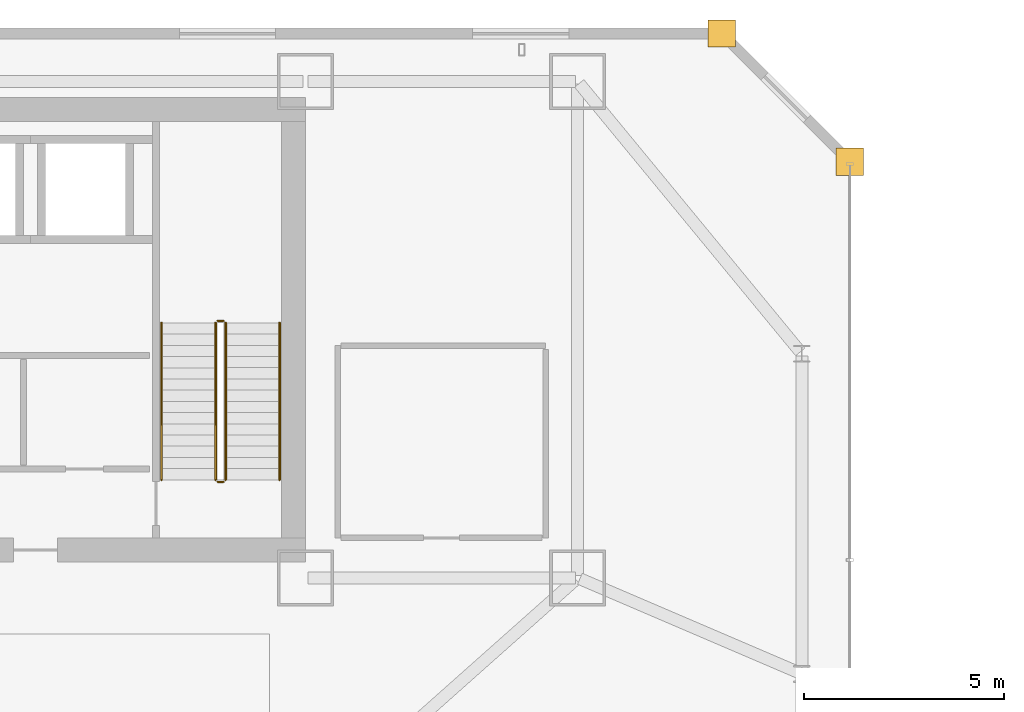
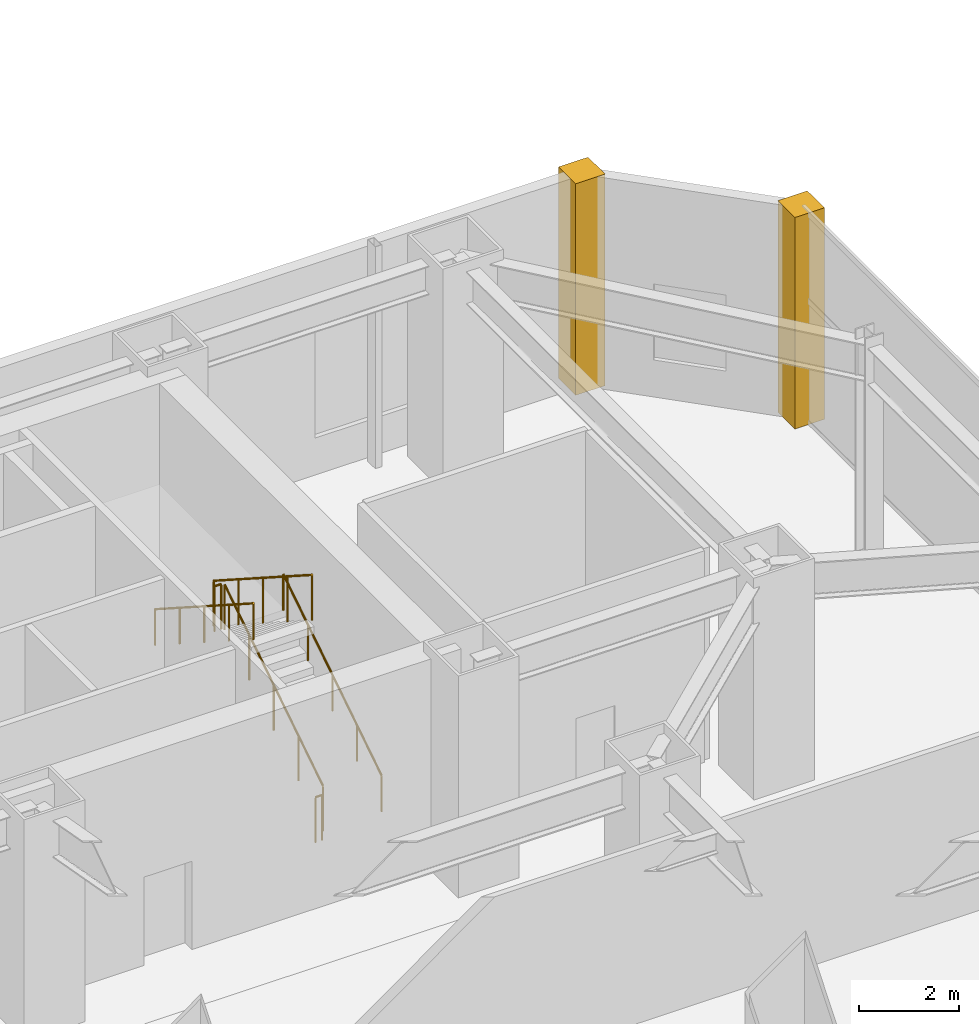
# One storey, part 52 of 53: 6 railings, 2 coverings.
"""IFC4 building model written with IfcOpenShell, lengths in metres."""

from ifc_helpers import new_model, si_unit, direction, frame, origin, origin_2d, place, context, subcontext, project, spatial, polyline, circle, outline, extrude, material, layer, layer_set, type_object, element, save


model = new_model("IFC4")

# Units and contexts
model_context = context("Model", 3, precision=1e-05, world=origin(), true_north=direction((0.0, 1.0)))
body_context = subcontext(model_context, "Body", "Model", "MODEL_VIEW")
ifc_project = project(units=[si_unit("LENGTHUNIT", "METRE"), si_unit("AREAUNIT", "SQUARE_METRE"), si_unit("VOLUMEUNIT", "CUBIC_METRE"), si_unit("PLANEANGLEUNIT", "RADIAN"), si_unit("MASSUNIT", "GRAM", prefix="KILO")], contexts=[model_context])

# Site, building, storey
site_placement = place(None, origin())
site = spatial("IfcSite", under=ifc_project, at=site_placement, CompositionType="ELEMENT")
building_placement = place(site_placement, origin())
building = spatial("IfcBuilding", under=site, at=building_placement, Name="Saevonmaru Cultural Tower", CompositionType="ELEMENT")
storey_placement = place(building_placement, frame((0.0, 0.0, 22.199951171875)))
storey = spatial("IfcBuildingStorey", under=building, at=storey_placement, Name="L04", CompositionType="ELEMENT", Elevation=22.199951171875)

# Coverings
ifc_material_1 = material(Name="Satin Bronze Anodised Aluminium", Category="aluminium")
ifc_layer = layer(ifc_material_1, 0.679931640625, Name="Satin Bronze Anodised Aluminium")
ifc_layer_set = layer_set([ifc_layer], Name="Satin Bronze Anodised Aluminium")
covering_type = type_object("IfcCoveringType", Name="CV-CORNER-CLAD", PredefinedType="CLADDING", material=ifc_layer_set)
covering_1_placement = place(storey_placement, origin())
element("IfcCovering", 1, at=covering_1_placement, inside=storey, type_object=covering_type, Name="L04 Podium Bronze Corner Cladding Pier 5", PredefinedType="CLADDING", context=body_context, shape_type="SweptSolid", body=[
    extrude(outline(polyline([(59.659912109375, 52.4599609375), (60.340087890625, 52.4599609375), (60.340087890625, 53.139892578125), (59.659912109375, 53.139892578125), (59.659912109375, 52.4599609375)])), origin(), (0.0, 0.0, 1.0), 5.150146484375),
])
covering_2_placement = place(storey_placement, origin())
element("IfcCovering", 2, at=covering_2_placement, inside=storey, type_object=covering_type, Name="L04 Podium Bronze Corner Cladding Pier 6", PredefinedType="CLADDING", context=body_context, shape_type="SweptSolid", body=[
    extrude(outline(polyline([(56.4599609375, 55.659912109375), (57.139892578125, 55.659912109375), (57.139892578125, 56.340087890625), (56.4599609375, 56.340087890625), (56.4599609375, 55.659912109375)])), origin(), (0.0, 0.0, 1.0), 5.150146484375),
])

# Railings
ifc_material_2 = material(Name="Architectural Painted Steel", Category="steel")
railing_type_1 = type_object("IfcRailingType", Name="RL-STAIR-GUARD", PredefinedType="GUARDRAIL", material=ifc_material_2)
railing_1_placement = place(storey_placement, frame((44.39990234375, 44.85009765625, 0.179931640625)))
element("IfcRailing", 3, at=railing_1_placement, inside=storey, type_object=railing_type_1, Name="L04 ST-2 stair guard 1", PredefinedType="GUARDRAIL", context=body_context, shape_type="SweptSolid", body=[
    extrude(circle(Radius=0.02392578125, at=origin_2d()), frame((0.0, 0.0, 1.09619140625), z_axis=(0.0, 0.841171666519, 0.540768182723), x_axis=(-1.0, 0.0, 0.0)), (0.0, 0.0, 1.0), 4.66015625),
    extrude(circle(Radius=0.02099609375, at=origin_2d()), origin(), (0.0, 0.0, 1.0), 1.072021484375),
    extrude(circle(Radius=0.02099609375, at=origin_2d()), frame((0.0, 0.97998046875, 0.6298828125)), (0.0, 0.0, 1.0), 1.072021484375),
    extrude(circle(Radius=0.02099609375, at=origin_2d()), frame((0.0, 1.9599609375, 1.260009765625)), (0.0, 0.0, 1.0), 1.072021484375),
    extrude(circle(Radius=0.02099609375, at=origin_2d()), frame((0.0, 2.93994140625, 1.89013671875)), (0.0, 0.0, 1.0), 1.072021484375),
    extrude(circle(Radius=0.02099609375, at=origin_2d()), frame((0.0, 3.919921875, 2.52001953125)), (0.0, 0.0, 1.0), 1.072021484375),
])
railing_2_placement = place(storey_placement, frame((44.35009765625, 48.820068359375, 2.699951171875)))
element("IfcRailing", 4, at=railing_2_placement, inside=storey, type_object=railing_type_1, Name="L04 ST-2 stair guard 2", PredefinedType="GUARDRAIL", context=body_context, shape_type="SweptSolid", body=[
    extrude(circle(Radius=0.02392578125, at=origin_2d()), frame((0.0, 0.0, 1.09619140625), z_axis=(-1.0, 0.0, 0.0), x_axis=(0.0, -1.0, 0.0)), (0.0, 0.0, 1.0), 0.150146484375),
    extrude(circle(Radius=0.02099609375, at=origin_2d()), origin(), (0.0, 0.0, 1.0), 1.072021484375),
    extrude(circle(Radius=0.02099609375, at=origin_2d()), frame((-0.150146484375, 0.0, 0.0)), (0.0, 0.0, 1.0), 1.072021484375),
])
railing_3_placement = place(storey_placement, frame((44.14990234375, 48.77001953125, 2.880126953125)))
element("IfcRailing", 5, at=railing_3_placement, inside=storey, type_object=railing_type_1, Name="L04 ST-2 stair guard 3", PredefinedType="GUARDRAIL", context=body_context, shape_type="SweptSolid", body=[
    extrude(circle(Radius=0.02392578125, at=origin_2d()), frame((0.0, 0.0, 1.09619140625), z_axis=(0.0, -0.841171666519, 0.540768182723), x_axis=(1.0, 0.0, 0.0)), (0.0, 0.0, 1.0), 4.66015625),
    extrude(circle(Radius=0.02099609375, at=origin_2d()), origin(), (0.0, 0.0, 1.0), 1.072021484375),
    extrude(circle(Radius=0.02099609375, at=origin_2d()), frame((0.0, -0.97998046875, 0.6298828125)), (0.0, 0.0, 1.0), 1.072021484375),
    extrude(circle(Radius=0.02099609375, at=origin_2d()), frame((0.0, -1.9599609375, 1.260009765625)), (0.0, 0.0, 1.0), 1.072021484375),
    extrude(circle(Radius=0.02099609375, at=origin_2d()), frame((0.0, -2.93994140625, 1.89013671875)), (0.0, 0.0, 1.0), 1.072021484375),
    extrude(circle(Radius=0.02099609375, at=origin_2d()), frame((0.0, -3.919921875, 2.52001953125)), (0.0, 0.0, 1.0), 1.072021484375),
])
railing_4_placement = place(storey_placement, frame((44.35009765625, 44.800048828125, 0.0)))
element("IfcRailing", 6, at=railing_4_placement, inside=storey, type_object=railing_type_1, Name="L04 ST-2 stair guard 4", PredefinedType="GUARDRAIL", context=body_context, shape_type="SweptSolid", body=[
    extrude(circle(Radius=0.02392578125, at=origin_2d()), frame((0.0, 0.0, 1.09619140625), z_axis=(-1.0, 0.0, 0.0), x_axis=(0.0, -1.0, 0.0)), (0.0, 0.0, 1.0), 0.150146484375),
    extrude(circle(Radius=0.02099609375, at=origin_2d()), origin(), (0.0, 0.0, 1.0), 1.072021484375),
    extrude(circle(Radius=0.02099609375, at=origin_2d()), frame((-0.150146484375, 0.0, 0.0)), (0.0, 0.0, 1.0), 1.072021484375),
])
railing_type_2 = type_object("IfcRailingType", Name="RL-STAIR-HANDRAIL", PredefinedType="HANDRAIL", material=ifc_material_1)
railing_5_placement = place(storey_placement, frame((45.75, 44.85009765625, 0.179931640625)))
element("IfcRailing", 7, at=railing_5_placement, inside=storey, type_object=railing_type_2, Name="L04 ST-2 stair handrail 1", PredefinedType="HANDRAIL", context=body_context, shape_type="SweptSolid", body=[
    extrude(circle(Radius=0.02392578125, at=origin_2d()), frame((0.0, 0.0, 0.8759765625), z_axis=(0.0, 0.841171666519, 0.540768182723), x_axis=(-1.0, 0.0, 0.0)), (0.0, 0.0, 1.0), 4.66015625),
    extrude(circle(Radius=0.02099609375, at=origin_2d()), origin(), (0.0, 0.0, 1.0), 0.851806640625),
    extrude(circle(Radius=0.02099609375, at=origin_2d()), frame((0.0, 0.97998046875, 0.6298828125)), (0.0, 0.0, 1.0), 0.851806640625),
    extrude(circle(Radius=0.02099609375, at=origin_2d()), frame((0.0, 1.9599609375, 1.260009765625)), (0.0, 0.0, 1.0), 0.851806640625),
    extrude(circle(Radius=0.02099609375, at=origin_2d()), frame((0.0, 2.93994140625, 1.89013671875)), (0.0, 0.0, 1.0), 0.851806640625),
    extrude(circle(Radius=0.02099609375, at=origin_2d()), frame((0.0, 3.919921875, 2.52001953125)), (0.0, 0.0, 1.0), 0.851806640625),
])
railing_6_placement = place(storey_placement, frame((42.800048828125, 48.77001953125, 2.880126953125)))
element("IfcRailing", 8, at=railing_6_placement, inside=storey, type_object=railing_type_2, Name="L04 ST-2 stair handrail 2", PredefinedType="HANDRAIL", context=body_context, shape_type="SweptSolid", body=[
    extrude(circle(Radius=0.02392578125, at=origin_2d()), frame((0.0, 0.0, 0.8759765625), z_axis=(0.0, -0.841171666519, 0.540768182723), x_axis=(1.0, 0.0, 0.0)), (0.0, 0.0, 1.0), 4.66015625),
    extrude(circle(Radius=0.02099609375, at=origin_2d()), origin(), (0.0, 0.0, 1.0), 0.851806640625),
    extrude(circle(Radius=0.02099609375, at=origin_2d()), frame((0.0, -0.97998046875, 0.6298828125)), (0.0, 0.0, 1.0), 0.851806640625),
    extrude(circle(Radius=0.02099609375, at=origin_2d()), frame((0.0, -1.9599609375, 1.260009765625)), (0.0, 0.0, 1.0), 0.851806640625),
    extrude(circle(Radius=0.02099609375, at=origin_2d()), frame((0.0, -2.93994140625, 1.89013671875)), (0.0, 0.0, 1.0), 0.851806640625),
    extrude(circle(Radius=0.02099609375, at=origin_2d()), frame((0.0, -3.919921875, 2.52001953125)), (0.0, 0.0, 1.0), 0.851806640625),
])

save(model, "model.ifc")
